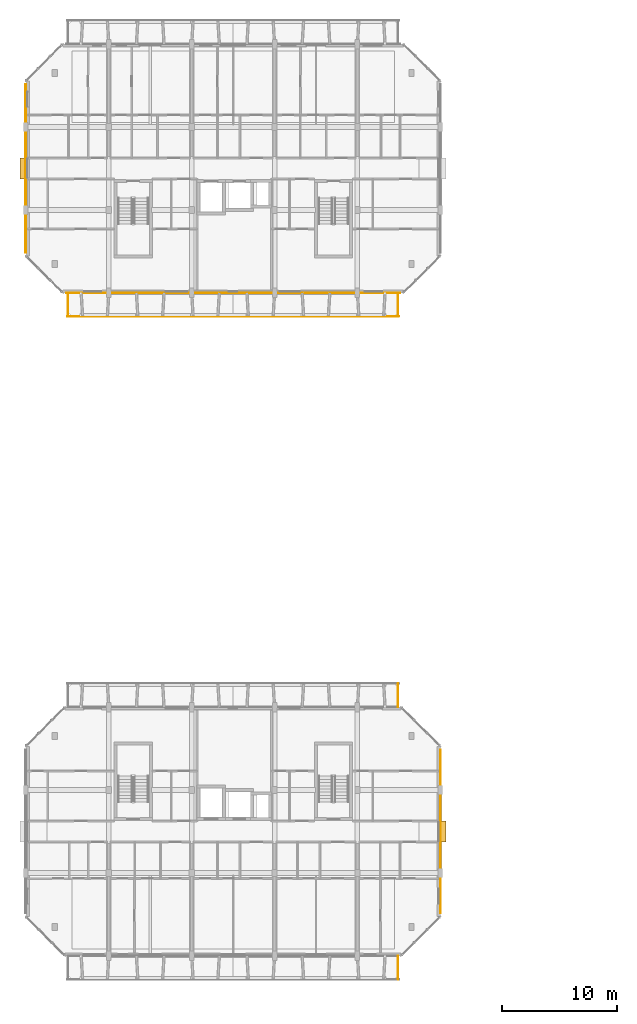
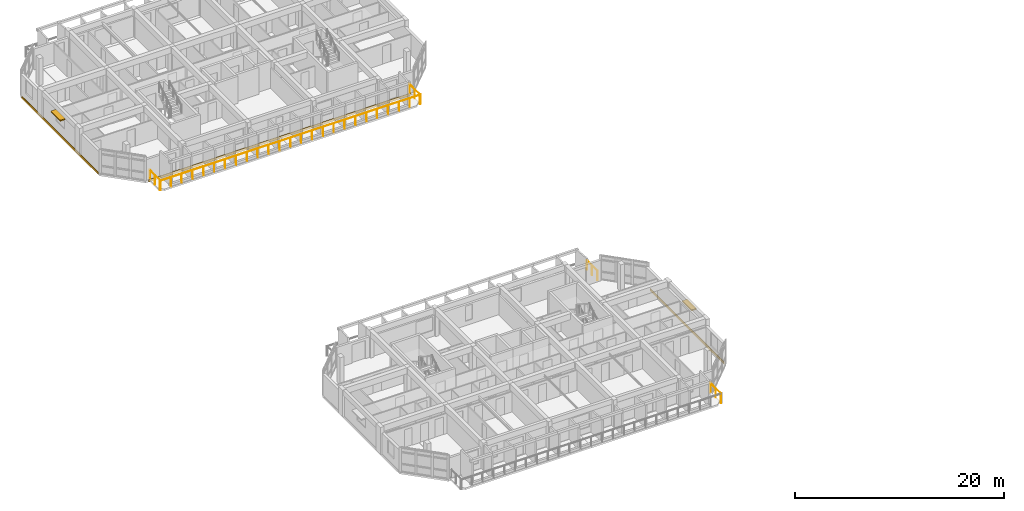
# One storey, part 37 of 44: 5 railings, 3 coverings, 2 shading devices.
"""IFC4 building model written with IfcOpenShell, lengths in metres."""

import ifcopenshell
import ifcopenshell.guid

model = None  # the IFC model being written
_history = None  # IfcOwnerHistory: only IFC2X3 demands one
_inside = {}  # id of a spatial element -> (the spatial element, [elements in it])
_under = {}  # id of a project, library or spatial element -> (it, [spatial elements below it])
_declared = {}  # id of a project -> (the project, [libraries it declares])
_typed = {}  # id of a type object -> (the type object, [elements of that type])
_made_of = {}  # id of a material, layer set ... -> (it, [elements and type objects made of it])


def new_model(schema):
    """Start an empty IFC model of exactly this schema.

    Asked for "IFC4X3", IfcOpenShell would pick the latest addendum, in which some entities
    have other attributes; the version numbers below select the first issue.
    IFC2X3 requires an IfcOwnerHistory on every rooted entity: one is made here for all.
    """
    global model, _history
    if schema == "IFC4X3":
        model = ifcopenshell.file(schema_version=(4, 3, 0, 0))
    else:
        model = ifcopenshell.file(schema=schema)
    _inside.clear()
    _under.clear()
    _declared.clear()
    _typed.clear()
    _made_of.clear()
    _history = None
    if model.schema == "IFC2X3":
        org = make("IfcOrganization", Name="unknown")
        user = make(
            "IfcPersonAndOrganization",
            ThePerson=make("IfcPerson", FamilyName="unknown"),
            TheOrganization=org,
        )
        app = make(
            "IfcApplication",
            ApplicationDeveloper=org,
            Version="unknown",
            ApplicationFullName="unknown",
            ApplicationIdentifier="unknown",
        )
        _history = make(
            "IfcOwnerHistory",
            OwningUser=user,
            OwningApplication=app,
            ChangeAction="ADDED",
            CreationDate=0,
        )
    return model


def make(cls, **values):
    """One entity of the class cls with the attributes given. An attribute that is None is left unset."""
    return model.create_entity(
        cls, **{name: value for name, value in values.items() if value is not None}
    )


def rooted(cls, **values):
    """An entity with a GlobalId (a new one), such as an element, a storey or a relation."""
    return make(cls, GlobalId=ifcopenshell.guid.new(), OwnerHistory=_history, **values)


def si_unit(unit_type, name, prefix=None):
    """IfcSIUnit, for example si_unit("LENGTHUNIT", "METRE", prefix="MILLI")."""
    return make("IfcSIUnit", UnitType=unit_type, Prefix=prefix, Name=name)


def assignment(units):
    """IfcUnitAssignment: the units of a project."""
    return None if units is None else make("IfcUnitAssignment", Units=units)


def point(xyz):
    """IfcCartesianPoint."""
    return None if xyz is None else make("IfcCartesianPoint", Coordinates=xyz)


def direction(xyz):
    """IfcDirection."""
    return None if xyz is None else make("IfcDirection", DirectionRatios=xyz)


def frame(location, z_axis=None, x_axis=None):
    """IfcAxis2Placement3D, a coordinate frame: its origin and axes. An axis left out is left unset."""
    return make(
        "IfcAxis2Placement3D",
        Location=point(location),
        Axis=direction(z_axis),
        RefDirection=direction(x_axis),
    )


def frame_2d(location, x_axis=None):
    """IfcAxis2Placement2D, a coordinate frame in the plane: its origin and x axis."""
    return make(
        "IfcAxis2Placement2D", Location=point(location), RefDirection=direction(x_axis)
    )


def origin():
    """The frame at (0, 0, 0) with its axes left unset."""
    return frame((0.0, 0.0, 0.0))


def origin_2d():
    """The frame at (0, 0) in the plane with its x axis left unset."""
    return frame_2d((0.0, 0.0))


def place(relative_to, where):
    """IfcLocalPlacement: puts the frame where relative to a parent placement (None: the world)."""
    return make(
        "IfcLocalPlacement", PlacementRelTo=relative_to, RelativePlacement=where
    )


def context(
    kind, dimensions, precision=None, world=None, true_north=None, identifier=None
):
    """IfcGeometricRepresentationContext, for example the 3D "Model" context."""
    return make(
        "IfcGeometricRepresentationContext",
        ContextIdentifier=identifier,
        ContextType=kind,
        CoordinateSpaceDimension=dimensions,
        Precision=precision,
        WorldCoordinateSystem=world,
        TrueNorth=true_north,
    )


def subcontext(parent, identifier, kind, view, scale=None):
    """IfcGeometricRepresentationSubContext, for example "Body" below "Model"."""
    return make(
        "IfcGeometricRepresentationSubContext",
        ContextIdentifier=identifier,
        ContextType=kind,
        ParentContext=parent,
        TargetScale=scale,
        TargetView=view,
    )


def project(units=None, contexts=None):
    """IfcProject with its units and contexts."""
    return rooted(
        "IfcProject",
        Name="project",
        RepresentationContexts=contexts,
        UnitsInContext=assignment(units),
    )


def spatial(cls, under=None, at=None, **own):
    """A site, building, storey or space (cls), placed at a placement, below another one or the project."""
    s = rooted(cls, ObjectPlacement=at, **own)
    if under is not None:
        _under.setdefault(under.id(), (under, []))[1].append(s)
    return s


def profile(cls, at=None, kind="AREA", **sizes):
    """A parametric profile (cls). Its sizes go by their IFC names, for example OverallWidth=200.0."""
    return make(cls, ProfileType=kind, Position=at, **sizes)


def rectangle(**sizes):
    """IfcRectangleProfileDef."""
    return profile("IfcRectangleProfileDef", **sizes)


def circle(**sizes):
    """IfcCircleProfileDef."""
    return profile("IfcCircleProfileDef", **sizes)


def extrude(swept, where, along, depth):
    """IfcExtrudedAreaSolid: the profile swept, set in the frame where, extruded along a direction by depth."""
    return make(
        "IfcExtrudedAreaSolid",
        SweptArea=swept,
        Position=where,
        ExtrudedDirection=direction(along),
        Depth=depth,
    )


def shape(context_of_items, identifier, shape_type, items):
    """IfcShapeRepresentation: the items that make up one representation, for example the "Body"."""
    return make(
        "IfcShapeRepresentation",
        ContextOfItems=context_of_items,
        RepresentationIdentifier=identifier,
        RepresentationType=shape_type,
        Items=items,
    )


def material(Name=None, Category=None):
    """IfcMaterial."""
    return make("IfcMaterial", Name=Name, Category=Category)


def layer(
    of_material, thickness, ventilated=None, Name=None, Category=None, Priority=None
):
    """IfcMaterialLayer: one layer of a wall or slab, of a material (None: an air gap)."""
    return make(
        "IfcMaterialLayer",
        Material=of_material,
        LayerThickness=thickness,
        IsVentilated=ventilated,
        Name=Name,
        Category=Category,
        Priority=Priority,
    )


def layer_set(layers, Name=None):
    """IfcMaterialLayerSet."""
    return make("IfcMaterialLayerSet", MaterialLayers=layers, LayerSetName=Name)


def made_of(thing, what):
    """Note that an element or type object is made of a material, layer set ...; save() writes the relation."""
    if what is not None:
        _made_of.setdefault(what.id(), (what, []))[1].append(thing)
    return thing


def type_object(cls, material=None, **own):
    """A type object (cls), such as IfcWallType, which elements share."""
    return made_of(rooted(cls, **own), material)


def element(
    cls,
    number,
    at=None,
    inside=None,
    cuts=None,
    type_object=None,
    material=None,
    context=None,
    identifier="Body",
    shape_type=None,
    held_by="IfcProductDefinitionShape",
    body=None,
    shapes=None,
    **own,
):
    """One element of the class cls, such as IfcWall. Its Tag is "e" and its number.

    at: its placement. inside: the storey or other place that contains it. cuts: it is an
    opening in that element (IfcRelVoidsElement). A single representation is given by context,
    identifier, shape_type and body (its items); several are given by shapes. held_by: the class
    of the entity that holds the representations. save() writes the other relations.
    """
    e = rooted(cls, Tag="e%d" % number, ObjectPlacement=at, **own)
    if body is not None:
        shapes = [shape(context, identifier, shape_type, body)]
    if shapes is not None:
        e.Representation = make(held_by, Representations=shapes)
    if inside is not None:
        _inside.setdefault(inside.id(), (inside, []))[1].append(e)
    if cuts is not None:
        rooted(
            "IfcRelVoidsElement", RelatingBuildingElement=cuts, RelatedOpeningElement=e
        )
    if type_object is not None:
        _typed.setdefault(type_object.id(), (type_object, []))[1].append(e)
    return made_of(e, material)


def aggregate(whole, parts):
    """IfcRelAggregates: a whole, such as a stair, and the parts it consists of."""
    return rooted("IfcRelAggregates", RelatingObject=whole, RelatedObjects=parts)


def save(model, path):
    """Write the relations noted so far, then the file.

    IfcRelAggregates (storeys below a building ...), IfcRelContainedInSpatialStructure (elements
    in a storey), IfcRelDefinesByType, IfcRelAssociatesMaterial and IfcRelDeclares: one each for
    every whole, place, type object, material and project.
    """
    for whole, parts in _under.values():
        aggregate(whole, parts)
    for where, things in _inside.values():
        rooted(
            "IfcRelContainedInSpatialStructure",
            RelatedElements=things,
            RelatingStructure=where,
        )
    for kind, things in _typed.values():
        rooted("IfcRelDefinesByType", RelatedObjects=things, RelatingType=kind)
    for what, things in _made_of.values():
        rooted("IfcRelAssociatesMaterial", RelatedObjects=things, RelatingMaterial=what)
    for by, libraries in _declared.values():
        rooted("IfcRelDeclares", RelatingContext=by, RelatedDefinitions=libraries)
    model.write(path)


model = new_model("IFC4")

# Units and contexts
model_context = context("Model", 3, precision=1e-05, world=origin(), true_north=direction((0.0, 1.0)))
body_context = subcontext(model_context, "Body", "Model", "MODEL_VIEW")
ifc_project = project(units=[si_unit("LENGTHUNIT", "METRE"), si_unit("AREAUNIT", "SQUARE_METRE"), si_unit("VOLUMEUNIT", "CUBIC_METRE"), si_unit("PLANEANGLEUNIT", "RADIAN"), si_unit("MASSUNIT", "GRAM", prefix="KILO")], contexts=[model_context])

# Site, building, storey
site_placement = place(None, origin())
site = spatial("IfcSite", under=ifc_project, at=site_placement, CompositionType="ELEMENT")
building_placement = place(site_placement, origin())
building = spatial("IfcBuilding", under=site, at=building_placement, Name="Ochrevale Crest", CompositionType="ELEMENT")
storey_placement = place(building_placement, frame((0.0, 0.0, 21.300048828125)))
storey = spatial("IfcBuildingStorey", under=building, at=storey_placement, Name="L06", CompositionType="ELEMENT", Elevation=21.300048828125)

# Coverings
ifc_material_1 = material(Name="Glazed terracotta rainscreen tile", Category="masonry")
ifc_layer = layer(ifc_material_1, 0.048095703125)
ifc_layer_set = layer_set([ifc_layer], Name="Glazed terracotta rainscreen tile")
covering_type = type_object("IfcCoveringType", Name="COV-CLAD-TER", PredefinedType="CLADDING", material=ifc_layer_set)
covering_1_placement = place(storey_placement, frame((36.014404296875, 25.199951171875, -0.26025390625), z_axis=(0.0, 0.0, 1.0), x_axis=(0.0, 1.0, 0.0)))
element("IfcCovering", 1, at=covering_1_placement, inside=storey, type_object=covering_type, Name="Block A L06 terracotta slab-edge spandrel cladding", PredefinedType="CLADDING", context=body_context, shape_type="SweptSolid", body=[
    extrude(rectangle(XDim=14.199951171875, YDim=0.06005859375, at=origin_2d()), origin(), (0.0, 0.0, 1.0), 0.280029296875),
])
covering_2_placement = place(storey_placement, frame((18.0, 71.987548828125, -0.26025390625), z_axis=(0.0, 0.0, 1.0), x_axis=(1.0, 0.0, 0.0)))
element("IfcCovering", 2, at=covering_2_placement, inside=storey, type_object=covering_type, Name="Block B L06 terracotta slab-edge spandrel cladding", PredefinedType="CLADDING", context=body_context, shape_type="SweptSolid", body=[
    extrude(rectangle(XDim=29.0, YDim=0.06005859375, at=origin_2d()), origin(), (0.0, 0.0, 1.0), 0.280029296875),
])
covering_3_placement = place(storey_placement, frame((-0.014404296875, 82.800048828125, -0.26025390625), z_axis=(0.0, 0.0, 1.0), x_axis=(0.0, -1.0, 0.0)))
element("IfcCovering", 3, at=covering_3_placement, inside=storey, type_object=covering_type, Name="Block B L06 terracotta slab-edge spandrel cladding", PredefinedType="CLADDING", context=body_context, shape_type="SweptSolid", body=[
    extrude(rectangle(XDim=14.60009765625, YDim=0.06005859375, at=origin_2d()), origin(), (0.0, 0.0, 1.0), 0.280029296875),
])

# Railings
ifc_material_2 = material(Name="Galvanised steel", Category="steel")
railing_type = type_object("IfcRailingType", Name="RL-BAL-1100", PredefinedType="BALUSTRADE", material=ifc_material_2)
railing_1_placement = place(storey_placement, frame((32.340087890625, 14.39990234375, 0.0)))
element("IfcRailing", 4, at=railing_1_placement, inside=storey, type_object=railing_type, Name="Block A L06 S-E balcony side guard", PredefinedType="BALUSTRADE", context=body_context, shape_type="SweptSolid", body=[
    extrude(circle(Radius=0.02392578125, at=origin_2d()), frame((0.0, 0.0, 1.0859375), z_axis=(0.0, -1.0, 0.0), x_axis=(1.0, 0.0, 0.0)), (0.0, 0.0, 1.0), 2.039794921875),
    extrude(circle(Radius=0.02099609375, at=origin_2d()), origin(), (0.0, 0.0, 1.0), 1.06201171875),
    extrude(circle(Radius=0.02099609375, at=origin_2d()), frame((0.0, -1.02001953125, 0.0)), (0.0, 0.0, 1.0), 1.06201171875),
    extrude(circle(Radius=0.02099609375, at=origin_2d()), frame((0.0, -2.039794921875, 0.0)), (0.0, 0.0, 1.0), 1.06201171875),
])
railing_2_placement = place(storey_placement, frame((32.340087890625, 36.0, 0.0)))
element("IfcRailing", 5, at=railing_2_placement, inside=storey, type_object=railing_type, Name="Block A L06 N-E balcony side guard", PredefinedType="BALUSTRADE", context=body_context, shape_type="SweptSolid", body=[
    extrude(circle(Radius=0.02392578125, at=origin_2d()), frame((0.0, 0.0, 1.0859375), z_axis=(0.0, 1.0, 0.0), x_axis=(-1.0, 0.0, 0.0)), (0.0, 0.0, 1.0), 2.0400390625),
    extrude(circle(Radius=0.02099609375, at=origin_2d()), origin(), (0.0, 0.0, 1.0), 1.06201171875),
    extrude(circle(Radius=0.02099609375, at=origin_2d()), frame((0.0, 1.02001953125, 0.0)), (0.0, 0.0, 1.0), 1.06201171875),
    extrude(circle(Radius=0.02099609375, at=origin_2d()), frame((0.0, 2.0400390625, 0.0)), (0.0, 0.0, 1.0), 1.06201171875),
])
railing_3_placement = place(storey_placement, frame((3.60009765625, 69.9599609375, 0.0)))
element("IfcRailing", 6, at=railing_3_placement, inside=storey, type_object=railing_type, Name="Block B L06 S balcony front balustrade", PredefinedType="BALUSTRADE", context=body_context, shape_type="SweptSolid", body=[
    extrude(circle(Radius=0.02392578125, at=origin_2d()), frame((0.0, 0.0, 1.0859375), z_axis=(1.0, 0.0, 0.0), x_axis=(0.0, 1.0, 0.0)), (0.0, 0.0, 1.0), 28.7998046875),
    extrude(circle(Radius=0.02099609375, at=origin_2d()), origin(), (0.0, 0.0, 1.0), 1.06201171875),
    extrude(circle(Radius=0.02099609375, at=origin_2d()), frame((1.199951171875, 0.0, 0.0)), (0.0, 0.0, 1.0), 1.06201171875),
    extrude(circle(Radius=0.02099609375, at=origin_2d()), frame((2.39990234375, 0.0, 0.0)), (0.0, 0.0, 1.0), 1.06201171875),
    extrude(circle(Radius=0.02099609375, at=origin_2d()), frame((3.60009765625, 0.0, 0.0)), (0.0, 0.0, 1.0), 1.06201171875),
    extrude(circle(Radius=0.02099609375, at=origin_2d()), frame((4.800048828125, 0.0, 0.0)), (0.0, 0.0, 1.0), 1.06201171875),
    extrude(circle(Radius=0.02099609375, at=origin_2d()), frame((6.0, 0.0, 0.0)), (0.0, 0.0, 1.0), 1.06201171875),
    extrude(circle(Radius=0.02099609375, at=origin_2d()), frame((7.199951171875, 0.0, 0.0)), (0.0, 0.0, 1.0), 1.06201171875),
    extrude(circle(Radius=0.02099609375, at=origin_2d()), frame((8.39990234375, 0.0, 0.0)), (0.0, 0.0, 1.0), 1.06201171875),
    extrude(circle(Radius=0.02099609375, at=origin_2d()), frame((9.599853515625, 0.0, 0.0)), (0.0, 0.0, 1.0), 1.06201171875),
    extrude(circle(Radius=0.02099609375, at=origin_2d()), frame((10.7998046875, 0.0, 0.0)), (0.0, 0.0, 1.0), 1.06201171875),
    extrude(circle(Radius=0.02099609375, at=origin_2d()), frame((12.0, 0.0, 0.0)), (0.0, 0.0, 1.0), 1.06201171875),
    extrude(circle(Radius=0.02099609375, at=origin_2d()), frame((13.199951171875, 0.0, 0.0)), (0.0, 0.0, 1.0), 1.06201171875),
    extrude(circle(Radius=0.02099609375, at=origin_2d()), frame((14.39990234375, 0.0, 0.0)), (0.0, 0.0, 1.0), 1.06201171875),
    extrude(circle(Radius=0.02099609375, at=origin_2d()), frame((15.599853515625, 0.0, 0.0)), (0.0, 0.0, 1.0), 1.06201171875),
    extrude(circle(Radius=0.02099609375, at=origin_2d()), frame((16.7998046875, 0.0, 0.0)), (0.0, 0.0, 1.0), 1.06201171875),
    extrude(circle(Radius=0.02099609375, at=origin_2d()), frame((18.0, 0.0, 0.0)), (0.0, 0.0, 1.0), 1.06201171875),
    extrude(circle(Radius=0.02099609375, at=origin_2d()), frame((19.199951171875, 0.0, 0.0)), (0.0, 0.0, 1.0), 1.06201171875),
    extrude(circle(Radius=0.02099609375, at=origin_2d()), frame((20.39990234375, 0.0, 0.0)), (0.0, 0.0, 1.0), 1.06201171875),
    extrude(circle(Radius=0.02099609375, at=origin_2d()), frame((21.599853515625, 0.0, 0.0)), (0.0, 0.0, 1.0), 1.06201171875),
    extrude(circle(Radius=0.02099609375, at=origin_2d()), frame((22.7998046875, 0.0, 0.0)), (0.0, 0.0, 1.0), 1.06201171875),
    extrude(circle(Radius=0.02099609375, at=origin_2d()), frame((23.999755859375, 0.0, 0.0)), (0.0, 0.0, 1.0), 1.06201171875),
    extrude(circle(Radius=0.02099609375, at=origin_2d()), frame((25.19970703125, 0.0, 0.0)), (0.0, 0.0, 1.0), 1.06201171875),
    extrude(circle(Radius=0.02099609375, at=origin_2d()), frame((26.39990234375, 0.0, 0.0)), (0.0, 0.0, 1.0), 1.06201171875),
    extrude(circle(Radius=0.02099609375, at=origin_2d()), frame((27.599853515625, 0.0, 0.0)), (0.0, 0.0, 1.0), 1.06201171875),
    extrude(circle(Radius=0.02099609375, at=origin_2d()), frame((28.7998046875, 0.0, 0.0)), (0.0, 0.0, 1.0), 1.06201171875),
])
for number, where, name in (
    (7, (3.659912109375, 72.0, 0.0), "Block B L06 S-W balcony side guard"),
    (8, (32.340087890625, 72.0, 0.0), "Block B L06 S-E balcony side guard"),
):
    element("IfcRailing", number, at=place(storey_placement, frame(where)), inside=storey, type_object=railing_type, Name=name, PredefinedType="BALUSTRADE", context=body_context, shape_type="SweptSolid", body=[
        extrude(circle(Radius=0.02392578125, at=origin_2d()), frame((0.0, 0.0, 1.0859375), z_axis=(0.0, -1.0, 0.0), x_axis=(1.0, 0.0, 0.0)), (0.0, 0.0, 1.0), 2.0400390625),
        extrude(circle(Radius=0.02099609375, at=origin_2d()), origin(), (0.0, 0.0, 1.0), 1.06201171875),
        extrude(circle(Radius=0.02099609375, at=origin_2d()), frame((0.0, -1.02001953125, 0.0)), (0.0, 0.0, 1.0), 1.06201171875),
        extrude(circle(Radius=0.02099609375, at=origin_2d()), frame((0.0, -2.0400390625, 0.0)), (0.0, 0.0, 1.0), 1.06201171875),
    ])

# Shading devices
ifc_material_3 = material(Name="Anodised aluminium 6063-T5", Category="aluminium")
shading_device_type = type_object("IfcShadingDeviceType", Name="SHD-SUNSHADE-OC", PredefinedType="USERDEFINED", material=ifc_material_3)
for number, where, z_axis, x_axis, name in (
    (9, (36.239990234375, 25.199951171875, 2.2099609375), (0.0, 0.0, 1.0), (1.0, 0.0, 0.0), "Block A L06 gable window sunshade E"),
    (10, (-0.239990234375, 82.800048828125, 2.2099609375), (0.0, 0.0, 1.0), (1.0, 0.0, 0.0), "Block B L06 gable window sunshade W"),
):
    element("IfcShadingDevice", number, at=place(storey_placement, frame(where, z_axis=z_axis, x_axis=x_axis)), inside=storey, type_object=shading_device_type, Name=name, ObjectType="HORIZONTAL SUNSHADE", PredefinedType="USERDEFINED", context=body_context, shape_type="SweptSolid", body=[
        extrude(rectangle(XDim=0.550048828125, YDim=1.800048828125, at=origin_2d()), origin(), (0.0, 0.0, 1.0), 0.139892578125),
    ])

save(model, "model.ifc")
